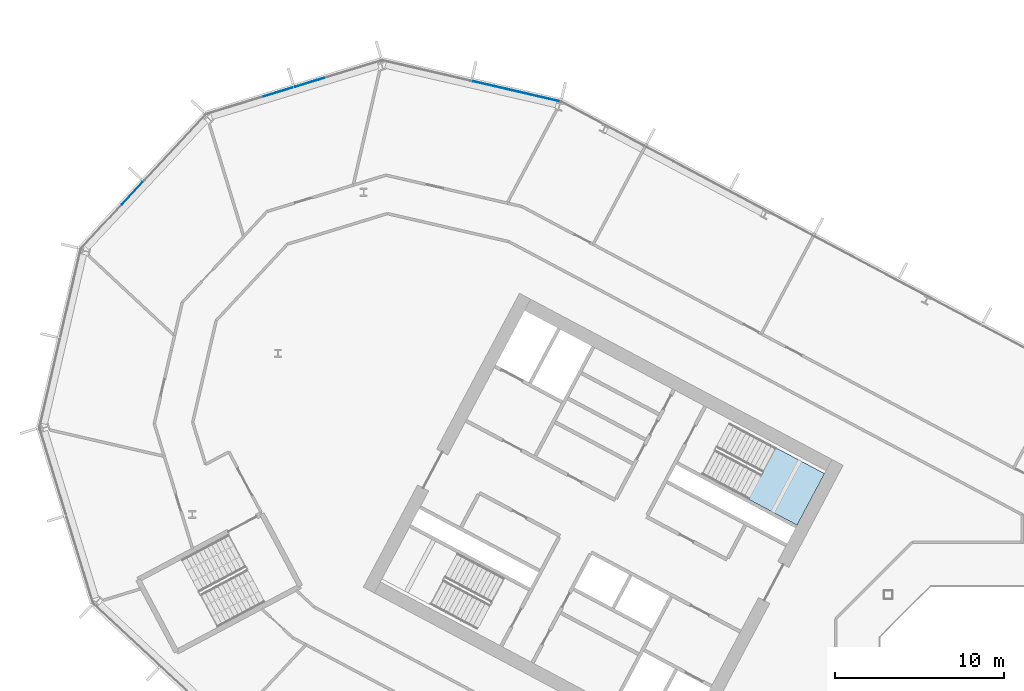
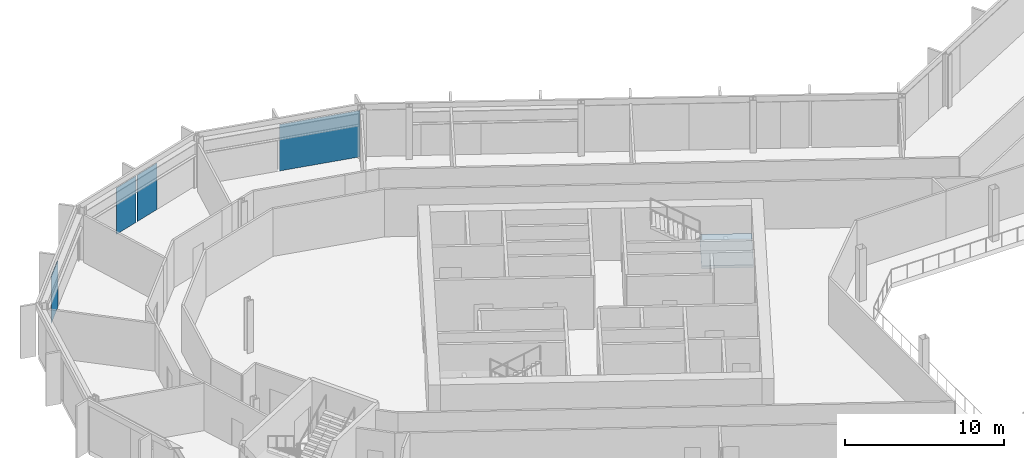
# One storey, part 11 of 28: 4 plates, 1 slab, 4 elements without a shape of their own.
"""IFC4 building model written with IfcOpenShell, lengths in metres."""

from ifc_helpers import new_model, si_unit, direction, frame, origin, origin_2d, place, context, subcontext, project, spatial, polyline, rectangle, outline, extrude, material, layer, layer_set, type_object, element, aggregate, save


model = new_model("IFC4")

# Units and contexts
model_context = context("Model", 3, precision=1e-05, world=origin(), true_north=direction((0.0, 1.0)))
body_context = subcontext(model_context, "Body", "Model", "MODEL_VIEW")
ifc_project = project(units=[si_unit("LENGTHUNIT", "METRE"), si_unit("AREAUNIT", "SQUARE_METRE"), si_unit("VOLUMEUNIT", "CUBIC_METRE"), si_unit("PLANEANGLEUNIT", "RADIAN"), si_unit("MASSUNIT", "GRAM", prefix="KILO")], contexts=[model_context])

# Site, building, storey
site_placement = place(None, origin())
site = spatial("IfcSite", under=ifc_project, at=site_placement, CompositionType="ELEMENT")
building_placement = place(site_placement, origin())
building = spatial("IfcBuilding", under=site, at=building_placement, Name="Cormorant Relay Tower", CompositionType="ELEMENT")
storey_placement = place(building_placement, frame((0.0, 0.0, 162.199951171875)))
storey = spatial("IfcBuildingStorey", under=building, at=storey_placement, Name="L34", CompositionType="ELEMENT", Elevation=162.199951171875)

# Curtain wall, plates
ifc_material_1 = material(Name="Aluminium 6063-T6 anodised bronze", Category="aluminium")
ifc_layer_1 = layer(ifc_material_1, 0.199951171875)
ifc_layer_set_1 = layer_set([ifc_layer_1], Name="CW1 unitised bronze curtain wall with vertical fins")
curtain_wall_type = type_object("IfcCurtainWallType", Name="CW1 unitised bronze curtain wall with vertical fins", PredefinedType="NOTDEFINED", material=ifc_layer_set_1)
curtain_wall_1_placement = place(storey_placement, origin())
curtain_wall_1 = element("IfcCurtainWall", 1, at=curtain_wall_1_placement, inside=storey, type_object=curtain_wall_type, Name="CW1 curtain wall 11", PredefinedType="NOTDEFINED")
ifc_material_2 = material(Name="Tinted laminated glass", Category="glass")
ifc_layer_2 = layer(ifc_material_2, 0.0400390625)
ifc_layer_set_2 = layer_set([ifc_layer_2], Name="CW1 tinted vision panel 1800 module")
plate_type_1 = type_object("IfcPlateType", Name="CW1 tinted vision panel 1800 module", PredefinedType="CURTAIN_PANEL", material=ifc_layer_set_2)
plate_1_placement = place(storey_placement, frame((-44.73681640625, 40.82861328125, 0.0), z_axis=(0.0, 0.0, 1.0), x_axis=(-0.956304755963, -0.292371704723, 0.0)))
plate_1 = element("IfcPlate", 2, at=plate_1_placement, type_object=plate_type_1, Name="CW1 panel V01", PredefinedType="CURTAIN_PANEL", context=body_context, shape_type="SweptSolid", body=[
    extrude(rectangle(XDim=1.800048828125, YDim=0.0400390625, at=origin_2d()), origin(), (0.0, 0.0, 1.0), 3.550048828125),
])
plate_2_placement = place(storey_placement, frame((-46.6015625, 40.25830078125, 0.0), z_axis=(0.0, 0.0, 1.0), x_axis=(-0.956304755963, -0.292371704723, 0.0)))
plate_2 = element("IfcPlate", 3, at=plate_2_placement, type_object=plate_type_1, Name="CW1 panel V02", PredefinedType="CURTAIN_PANEL", context=body_context, shape_type="SweptSolid", body=[
    extrude(rectangle(XDim=1.800048828125, YDim=0.0400390625, at=origin_2d()), origin(), (0.0, 0.0, 1.0), 3.550048828125),
])
aggregate(curtain_wall_1, [plate_1, plate_2])

# Curtain wall, plate
curtain_wall_2_placement = place(storey_placement, origin())
curtain_wall_2 = element("IfcCurtainWall", 4, at=curtain_wall_2_placement, inside=storey, type_object=curtain_wall_type, Name="CW1 curtain wall 12", PredefinedType="NOTDEFINED")
plate_3_placement = place(storey_placement, frame((-55.247314453125, 34.2607421875, 0.0), z_axis=(0.0, 0.0, 1.0), x_axis=(-0.681998360062, -0.731353701619, 0.0)))
plate_3 = element("IfcPlate", 5, at=plate_3_placement, type_object=plate_type_1, Name="CW1 panel V01", PredefinedType="CURTAIN_PANEL", context=body_context, shape_type="SweptSolid", body=[
    extrude(rectangle(XDim=1.800048828125, YDim=0.0400390625, at=origin_2d()), origin(), (0.0, 0.0, 1.0), 3.550048828125),
])
aggregate(curtain_wall_2, [plate_3])

curtain_wall_3_placement = place(storey_placement, origin())
curtain_wall_3 = element("IfcCurtainWall", 6, at=curtain_wall_3_placement, inside=storey, type_object=curtain_wall_type, Name="CW1 curtain wall 10", PredefinedType="NOTDEFINED")
ifc_material_3 = material(Name="Tinted laminated glass", Category="glass")
ifc_layer_3 = layer(ifc_material_3, 0.0400390625)
ifc_layer_set_3 = layer_set([ifc_layer_3], Name="CW1 tinted vision panel 5400 module")
plate_type_2 = type_object("IfcPlateType", Name="CW1 tinted vision panel 5400 module", PredefinedType="CURTAIN_PANEL", material=ifc_layer_set_3)
plate_4_placement = place(storey_placement, frame((-32.51708984375, 40.298828125, 0.0), z_axis=(0.0, 0.0, 1.0), x_axis=(-0.974370064785, 0.224951054344, 0.0)))
plate_4 = element("IfcPlate", 7, at=plate_4_placement, type_object=plate_type_2, Name="CW1 panel V00", PredefinedType="CURTAIN_PANEL", context=body_context, shape_type="SweptSolid", body=[
    extrude(rectangle(XDim=5.28515625, YDim=0.0400390625, at=origin_2d()), origin(), (0.0, 0.0, 1.0), 3.550048828125),
])
aggregate(curtain_wall_3, [plate_4])

# Stair, slab
ifc_material_4 = material(Name="Concrete 40 MPa", Category="concrete")
stair_type = type_object("IfcStairType", Name="Exit stair 1500", PredefinedType="HALF_TURN_STAIR", material=ifc_material_4)
stair_placement = place(storey_placement, origin())
stair = element("IfcStair", 8, at=stair_placement, inside=storey, type_object=stair_type, Name="L34 Stair", PredefinedType="HALF_TURN_STAIR")
ifc_material_5 = material(Name="Concrete 40 MPa", Category="concrete")
ifc_layer_4 = layer(ifc_material_5, 0.199951171875)
ifc_layer_set_4 = layer_set([ifc_layer_4], Name="Exit stair landing 200")
slab_type = type_object("IfcSlabType", Name="Exit stair landing 200", PredefinedType="LANDING", material=ifc_layer_set_4)
slab_placement = place(storey_placement, frame((0.0, 0.0, 1.800048828125)))
slab = element("IfcSlab", 9, at=slab_placement, type_object=slab_type, Name="A1 landing 1", PredefinedType="LANDING", context=body_context, shape_type="SweptSolid", body=[
    extrude(outline(polyline([(-18.7822265625, 16.1591796875), (-15.89501953125, 14.6240234375), (-14.275390625, 17.670166015625), (-17.16259765625, 19.205322265625), (-18.7822265625, 16.1591796875)])), origin(), (0.0, 0.0, 1.0), 0.199951171875),
])
aggregate(stair, [slab])

save(model, "model.ifc")
